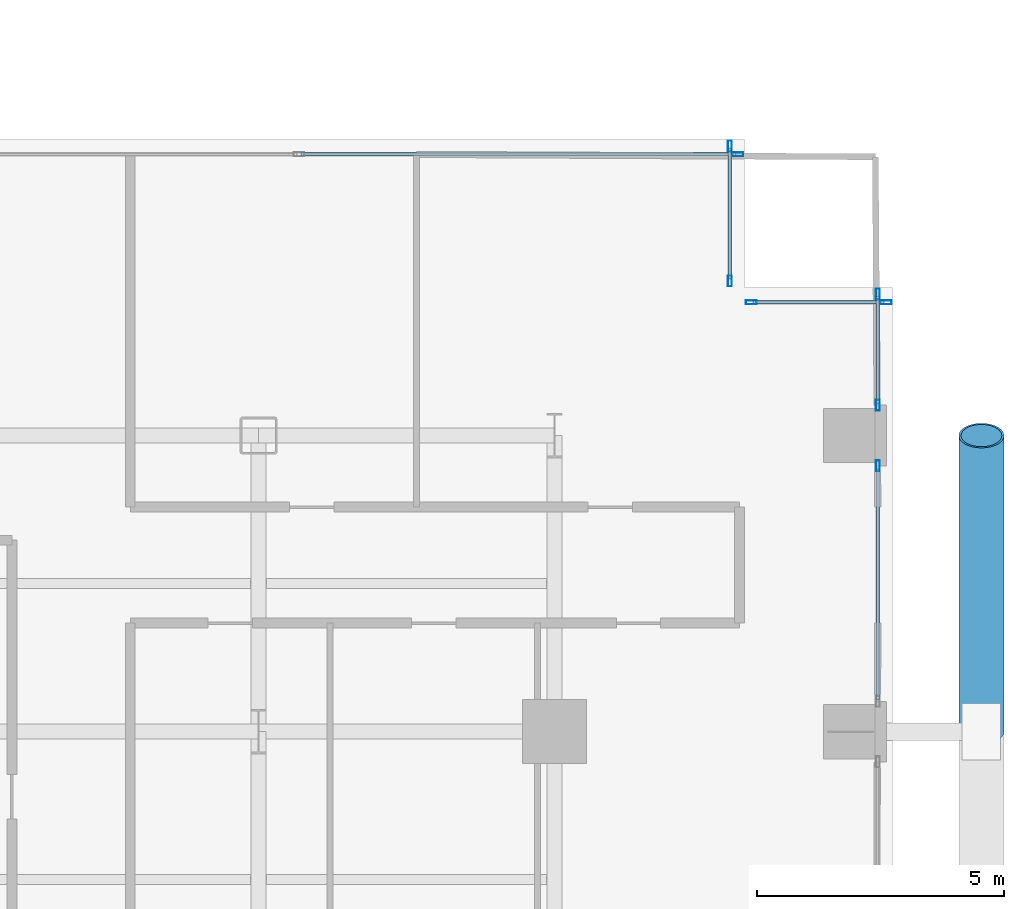
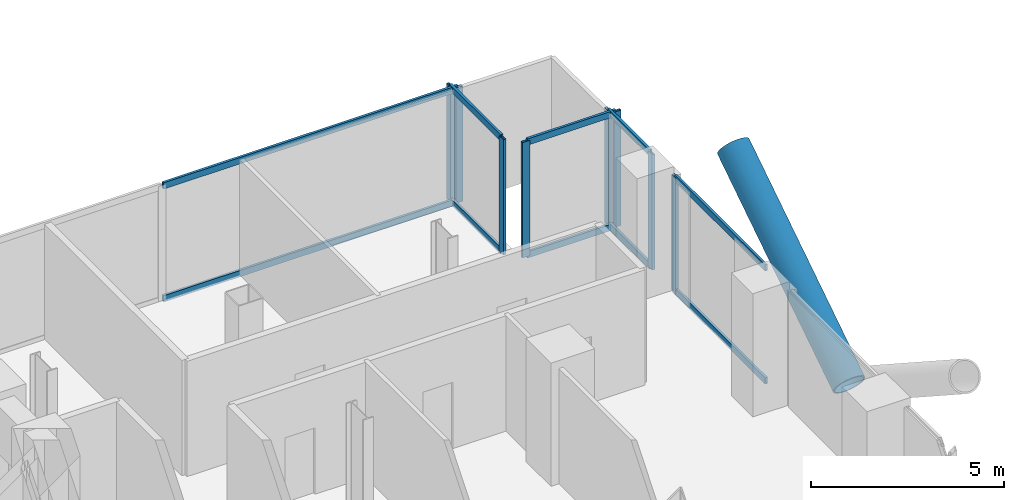
# One storey, part 12 of 27: 19 members, 5 elements without a shape of their own.
"""IFC4 building model written with IfcOpenShell, lengths in metres."""

from ifc_helpers import new_model, si_unit, direction, frame, origin, origin_2d, place, context, subcontext, project, spatial, hollow_rectangle, hollow_circle, extrude, material, layer, layer_set, material_profile, profile_set, type_object, element, aggregate, save


model = new_model("IFC4")

# Units and contexts
model_context = context("Model", 3, precision=1e-05, world=origin(), true_north=direction((0.0, 1.0)))
body_context = subcontext(model_context, "Body", "Model", "MODEL_VIEW")
ifc_project = project(units=[si_unit("LENGTHUNIT", "METRE"), si_unit("AREAUNIT", "SQUARE_METRE"), si_unit("VOLUMEUNIT", "CUBIC_METRE"), si_unit("PLANEANGLEUNIT", "RADIAN"), si_unit("MASSUNIT", "GRAM", prefix="KILO"), si_unit("THERMODYNAMICTEMPERATUREUNIT", "KELVIN"), si_unit("POWERUNIT", "WATT")], contexts=[model_context])

# Site, building, storey
site_placement = place(None, origin())
site = spatial("IfcSite", under=ifc_project, at=site_placement, CompositionType="ELEMENT")
building_placement = place(site_placement, origin())
building = spatial("IfcBuilding", under=site, at=building_placement, Name="Svarakhadi Broadcast Tower", CompositionType="ELEMENT")
storey_placement = place(building_placement, frame((0.0, 0.0, 44.10009765625)))
storey = spatial("IfcBuildingStorey", under=building, at=storey_placement, Name="L09", CompositionType="ELEMENT", Elevation=44.10009765625)

# Curtain wall, member
ifc_material_1 = material(Name="Anodised Bronze Aluminium AA 6063-T6", Category="aluminium")
ifc_layer = layer(ifc_material_1, 0.219970703125)
ifc_layer_set = layer_set([ifc_layer], Name="Anodised Bronze Aluminium AA 6063-T6")
curtain_wall_type = type_object("IfcCurtainWallType", Name="CW_Sys_02", PredefinedType="NOTDEFINED", material=ifc_layer_set)
curtain_wall_1_placement = place(storey_placement, origin())
curtain_wall_1 = element("IfcCurtainWall", 1, at=curtain_wall_1_placement, inside=storey, type_object=curtain_wall_type, Name="L09 Unitised Facade Curtain Wall 10", PredefinedType="NOTDEFINED")
ifc_material_profile_1 = material_profile(ifc_material_1, hollow_rectangle(XDim=0.0849609375, YDim=0.219970703125, WallThickness=0.006103515625, at=origin_2d()), Name="ALU MULLION 220x85x6")
ifc_profile_set_1 = profile_set([ifc_material_profile_1], Name="Anodised Bronze Aluminium AA 6063-T6")
member_type_1 = type_object("IfcMemberType", Name="CW_Sys_02_Mul", PredefinedType="MULLION", material=ifc_profile_set_1)
member_1_placement = place(storey_placement, frame((50.867431640625, 23.699951171875, 0.0), z_axis=(0.0, 0.0, 1.0), x_axis=(0.0, 1.0, 0.0)))
member_1 = element("IfcMember", 2, at=member_1_placement, type_object=member_type_1, Name="CW-02 mullion 4", PredefinedType="MULLION", context=body_context, shape_type="SweptSolid", body=[
    extrude(hollow_rectangle(XDim=0.0849609375, YDim=0.219970703125, WallThickness=0.006103515625, at=origin_2d()), origin(), (0.0, 0.0, 1.0), 3.64990234375),
])

# Curtain wall, members
curtain_wall_2_placement = place(storey_placement, origin())
curtain_wall_2 = element("IfcCurtainWall", 3, at=curtain_wall_2_placement, inside=storey, type_object=curtain_wall_type, Name="L09 Unitised Facade Curtain Wall 11", PredefinedType="NOTDEFINED")
member_2_placement = place(storey_placement, frame((50.699951171875, 23.867431640625, 0.0), z_axis=(0.0, 0.0, 1.0), x_axis=(1.0, 0.0, 0.0)))
member_2 = element("IfcMember", 4, at=member_2_placement, type_object=member_type_1, Name="CW-02 mullion 1", PredefinedType="MULLION", context=body_context, shape_type="SweptSolid", body=[
    extrude(hollow_rectangle(XDim=0.0849609375, YDim=0.219970703125, WallThickness=0.006103515625, at=origin_2d()), origin(), (0.0, 0.0, 1.0), 3.64990234375),
])
member_3_placement = place(storey_placement, frame((50.699951171875, 21.132568359375, 0.0), z_axis=(0.0, 0.0, 1.0), x_axis=(1.0, 0.0, 0.0)))
member_3 = element("IfcMember", 5, at=member_3_placement, type_object=member_type_1, Name="CW-02 mullion 2", PredefinedType="MULLION", context=body_context, shape_type="SweptSolid", body=[
    extrude(hollow_rectangle(XDim=0.0849609375, YDim=0.219970703125, WallThickness=0.006103515625, at=origin_2d()), origin(), (0.0, 0.0, 1.0), 3.64990234375),
])

curtain_wall_3_placement = place(storey_placement, origin())
curtain_wall_3 = element("IfcCurtainWall", 6, at=curtain_wall_3_placement, inside=storey, type_object=curtain_wall_type, Name="L09 Unitised Facade Curtain Wall 12", PredefinedType="NOTDEFINED")
member_4_placement = place(storey_placement, frame((51.132568359375, 20.699951171875, 0.0), z_axis=(0.0, 0.0, 1.0), x_axis=(0.0, 1.0, 0.0)))
member_4 = element("IfcMember", 7, at=member_4_placement, type_object=member_type_1, Name="CW-02 mullion 1", PredefinedType="MULLION", context=body_context, shape_type="SweptSolid", body=[
    extrude(hollow_rectangle(XDim=0.0849609375, YDim=0.219970703125, WallThickness=0.006103515625, at=origin_2d()), origin(), (0.0, 0.0, 1.0), 3.64990234375),
])
member_5_placement = place(storey_placement, frame((53.867431640625, 20.699951171875, 0.0), z_axis=(0.0, 0.0, 1.0), x_axis=(0.0, 1.0, 0.0)))
member_5 = element("IfcMember", 8, at=member_5_placement, type_object=member_type_1, Name="CW-02 mullion 2", PredefinedType="MULLION", context=body_context, shape_type="SweptSolid", body=[
    extrude(hollow_rectangle(XDim=0.0849609375, YDim=0.219970703125, WallThickness=0.006103515625, at=origin_2d()), origin(), (0.0, 0.0, 1.0), 3.64990234375),
])

curtain_wall_4_placement = place(storey_placement, origin())
curtain_wall_4 = element("IfcCurtainWall", 9, at=curtain_wall_4_placement, inside=storey, type_object=curtain_wall_type, Name="L09 Unitised Facade Curtain Wall 13 Bay 1", PredefinedType="NOTDEFINED")
member_6_placement = place(storey_placement, frame((53.699951171875, 20.867431640625, 0.0), z_axis=(0.0, 0.0, 1.0), x_axis=(1.0, 0.0, 0.0)))
member_6 = element("IfcMember", 10, at=member_6_placement, type_object=member_type_1, Name="CW-02 mullion 1", PredefinedType="MULLION", context=body_context, shape_type="SweptSolid", body=[
    extrude(hollow_rectangle(XDim=0.0849609375, YDim=0.219970703125, WallThickness=0.006103515625, at=origin_2d()), origin(), (0.0, 0.0, 1.0), 3.64990234375),
])
member_7_placement = place(storey_placement, frame((53.699951171875, 18.612548828125, 0.0), z_axis=(0.0, 0.0, 1.0), x_axis=(1.0, 0.0, 0.0)))
member_7 = element("IfcMember", 11, at=member_7_placement, type_object=member_type_1, Name="CW-02 mullion 2", PredefinedType="MULLION", context=body_context, shape_type="SweptSolid", body=[
    extrude(hollow_rectangle(XDim=0.0849609375, YDim=0.219970703125, WallThickness=0.006103515625, at=origin_2d()), origin(), (0.0, 0.0, 1.0), 3.64990234375),
])

# Curtain wall, member
curtain_wall_5_placement = place(storey_placement, origin())
curtain_wall_5 = element("IfcCurtainWall", 12, at=curtain_wall_5_placement, inside=storey, type_object=curtain_wall_type, Name="L09 Unitised Facade Curtain Wall 13 Bay 2", PredefinedType="NOTDEFINED")
member_8_placement = place(storey_placement, frame((53.699951171875, 17.387451171875, 0.0), z_axis=(0.0, 0.0, 1.0), x_axis=(1.0, 0.0, 0.0)))
member_8 = element("IfcMember", 13, at=member_8_placement, type_object=member_type_1, Name="CW-02 mullion 1", PredefinedType="MULLION", context=body_context, shape_type="SweptSolid", body=[
    extrude(hollow_rectangle(XDim=0.0849609375, YDim=0.219970703125, WallThickness=0.006103515625, at=origin_2d()), origin(), (0.0, 0.0, 1.0), 3.64990234375),
])

# Member
ifc_material_profile_2 = material_profile(ifc_material_1, hollow_rectangle(XDim=0.074951171875, YDim=0.199951171875, WallThickness=0.0048828125, at=origin_2d()), Name="ALU TRANSOM 200x75x5")
ifc_profile_set_2 = profile_set([ifc_material_profile_2], Name="Anodised Bronze Aluminium AA 6063-T6")
member_type_2 = type_object("IfcMemberType", Name="CW_Sys_02_Trn", PredefinedType="USERDEFINED", material=ifc_profile_set_2)
member_9_placement = place(storey_placement, frame((42.012451171875, 23.699951171875, 0.037353515625), z_axis=(1.0, 0.0, 0.0), x_axis=(0.0, 1.0, 0.0)))
member_9 = element("IfcMember", 14, at=member_9_placement, type_object=member_type_2, Name="CW-02 transom 3.1", ObjectType="TRANSOM", PredefinedType="USERDEFINED", context=body_context, shape_type="SweptSolid", body=[
    extrude(hollow_rectangle(XDim=0.074951171875, YDim=0.199951171875, WallThickness=0.0048828125, at=origin_2d()), origin(), (0.0, 0.0, 1.0), 8.8125),
])

member_10_placement = place(storey_placement, frame((42.012451171875, 23.699951171875, 3.6123046875), z_axis=(1.0, 0.0, 0.0), x_axis=(0.0, 1.0, 0.0)))
member_10 = element("IfcMember", 15, at=member_10_placement, type_object=member_type_2, Name="CW-02 transom 3.2", ObjectType="TRANSOM", PredefinedType="USERDEFINED", context=body_context, shape_type="SweptSolid", body=[
    extrude(hollow_rectangle(XDim=0.074951171875, YDim=0.199951171875, WallThickness=0.0048828125, at=origin_2d()), origin(), (0.0, 0.0, 1.0), 8.8125),
])

aggregate(curtain_wall_1, [member_1, member_9, member_10])

member_11_placement = place(storey_placement, frame((50.699951171875, 23.824951171875, 0.037353515625), z_axis=(0.0, -1.0, 0.0), x_axis=(1.0, 0.0, 0.0)))
member_11 = element("IfcMember", 16, at=member_11_placement, type_object=member_type_2, Name="CW-02 transom 1.1", ObjectType="TRANSOM", PredefinedType="USERDEFINED", context=body_context, shape_type="SweptSolid", body=[
    extrude(hollow_rectangle(XDim=0.074951171875, YDim=0.199951171875, WallThickness=0.0048828125, at=origin_2d()), origin(), (0.0, 0.0, 1.0), 2.64990234375),
])

member_12_placement = place(storey_placement, frame((50.699951171875, 23.824951171875, 3.6123046875), z_axis=(0.0, -1.0, 0.0), x_axis=(1.0, 0.0, 0.0)))
member_12 = element("IfcMember", 17, at=member_12_placement, type_object=member_type_2, Name="CW-02 transom 1.2", ObjectType="TRANSOM", PredefinedType="USERDEFINED", context=body_context, shape_type="SweptSolid", body=[
    extrude(hollow_rectangle(XDim=0.074951171875, YDim=0.199951171875, WallThickness=0.0048828125, at=origin_2d()), origin(), (0.0, 0.0, 1.0), 2.64990234375),
])

aggregate(curtain_wall_2, [member_2, member_3, member_11, member_12])

member_13_placement = place(storey_placement, frame((51.175048828125, 20.699951171875, 0.037353515625), z_axis=(1.0, 0.0, 0.0), x_axis=(0.0, 1.0, 0.0)))
member_13 = element("IfcMember", 18, at=member_13_placement, type_object=member_type_2, Name="CW-02 transom 1.1", ObjectType="TRANSOM", PredefinedType="USERDEFINED", context=body_context, shape_type="SweptSolid", body=[
    extrude(hollow_rectangle(XDim=0.074951171875, YDim=0.199951171875, WallThickness=0.0048828125, at=origin_2d()), origin(), (0.0, 0.0, 1.0), 2.64990234375),
])

member_14_placement = place(storey_placement, frame((51.175048828125, 20.699951171875, 3.6123046875), z_axis=(1.0, 0.0, 0.0), x_axis=(0.0, 1.0, 0.0)))
member_14 = element("IfcMember", 19, at=member_14_placement, type_object=member_type_2, Name="CW-02 transom 1.2", ObjectType="TRANSOM", PredefinedType="USERDEFINED", context=body_context, shape_type="SweptSolid", body=[
    extrude(hollow_rectangle(XDim=0.074951171875, YDim=0.199951171875, WallThickness=0.0048828125, at=origin_2d()), origin(), (0.0, 0.0, 1.0), 2.64990234375),
])

aggregate(curtain_wall_3, [member_4, member_5, member_13, member_14])

member_15_placement = place(storey_placement, frame((53.699951171875, 20.824951171875, 0.037353515625), z_axis=(0.0, -1.0, 0.0), x_axis=(1.0, 0.0, 0.0)))
member_15 = element("IfcMember", 20, at=member_15_placement, type_object=member_type_2, Name="CW-02 transom 1.1", ObjectType="TRANSOM", PredefinedType="USERDEFINED", context=body_context, shape_type="SweptSolid", body=[
    extrude(hollow_rectangle(XDim=0.074951171875, YDim=0.199951171875, WallThickness=0.0048828125, at=origin_2d()), origin(), (0.0, 0.0, 1.0), 2.169921875),
])

member_16_placement = place(storey_placement, frame((53.699951171875, 20.824951171875, 3.6123046875), z_axis=(0.0, -1.0, 0.0), x_axis=(1.0, 0.0, 0.0)))
member_16 = element("IfcMember", 21, at=member_16_placement, type_object=member_type_2, Name="CW-02 transom 1.2", ObjectType="TRANSOM", PredefinedType="USERDEFINED", context=body_context, shape_type="SweptSolid", body=[
    extrude(hollow_rectangle(XDim=0.074951171875, YDim=0.199951171875, WallThickness=0.0048828125, at=origin_2d()), origin(), (0.0, 0.0, 1.0), 2.169921875),
])

aggregate(curtain_wall_4, [member_6, member_7, member_15, member_16])

member_17_placement = place(storey_placement, frame((53.699951171875, 17.344970703125, 0.037353515625), z_axis=(0.0, -1.0, 0.0), x_axis=(1.0, 0.0, 0.0)))
member_17 = element("IfcMember", 22, at=member_17_placement, type_object=member_type_2, Name="CW-02 transom 1.1", ObjectType="TRANSOM", PredefinedType="USERDEFINED", context=body_context, shape_type="SweptSolid", body=[
    extrude(hollow_rectangle(XDim=0.074951171875, YDim=0.199951171875, WallThickness=0.0048828125, at=origin_2d()), origin(), (0.0, 0.0, 1.0), 4.68994140625),
])

member_18_placement = place(storey_placement, frame((53.699951171875, 17.344970703125, 3.6123046875), z_axis=(0.0, -1.0, 0.0), x_axis=(1.0, 0.0, 0.0)))
member_18 = element("IfcMember", 23, at=member_18_placement, type_object=member_type_2, Name="CW-02 transom 1.2", ObjectType="TRANSOM", PredefinedType="USERDEFINED", context=body_context, shape_type="SweptSolid", body=[
    extrude(hollow_rectangle(XDim=0.074951171875, YDim=0.199951171875, WallThickness=0.0048828125, at=origin_2d()), origin(), (0.0, 0.0, 1.0), 4.68994140625),
])

aggregate(curtain_wall_5, [member_8, member_17, member_18])

ifc_material_2 = material(Name="Steel S460ML (IS 2062 E450BR)", Category="steel")
ifc_material_profile_3 = material_profile(ifc_material_2, hollow_circle(Radius=0.45703125, WallThickness=0.044921875, at=origin_2d()), Name="CHS 914x45")
ifc_profile_set_3 = profile_set([ifc_material_profile_3], Name="Steel S460ML (IS 2062 E450BR)")
member_type_3 = type_object("IfcMemberType", Name="Exo_Brace_CHS914", PredefinedType="BRACE", material=ifc_profile_set_3)
member_19_placement = place(storey_placement, frame((55.800048828125, 12.0, -0.427978515625), z_axis=(0.0, 0.838434262763, 0.545002740383), x_axis=(-1.0, 0.0, 0.0)))
element("IfcMember", 24, at=member_19_placement, inside=storey, type_object=member_type_3, Name="L09 Exposed Bronze Exoskeleton Diagonal E11", PredefinedType="BRACE", context=body_context, shape_type="SweptSolid", body=[
    extrude(hollow_circle(Radius=0.45703125, WallThickness=0.044921875, at=origin_2d()), origin(), (0.0, 0.0, 1.0), 7.15625),
])

save(model, "model.ifc")
